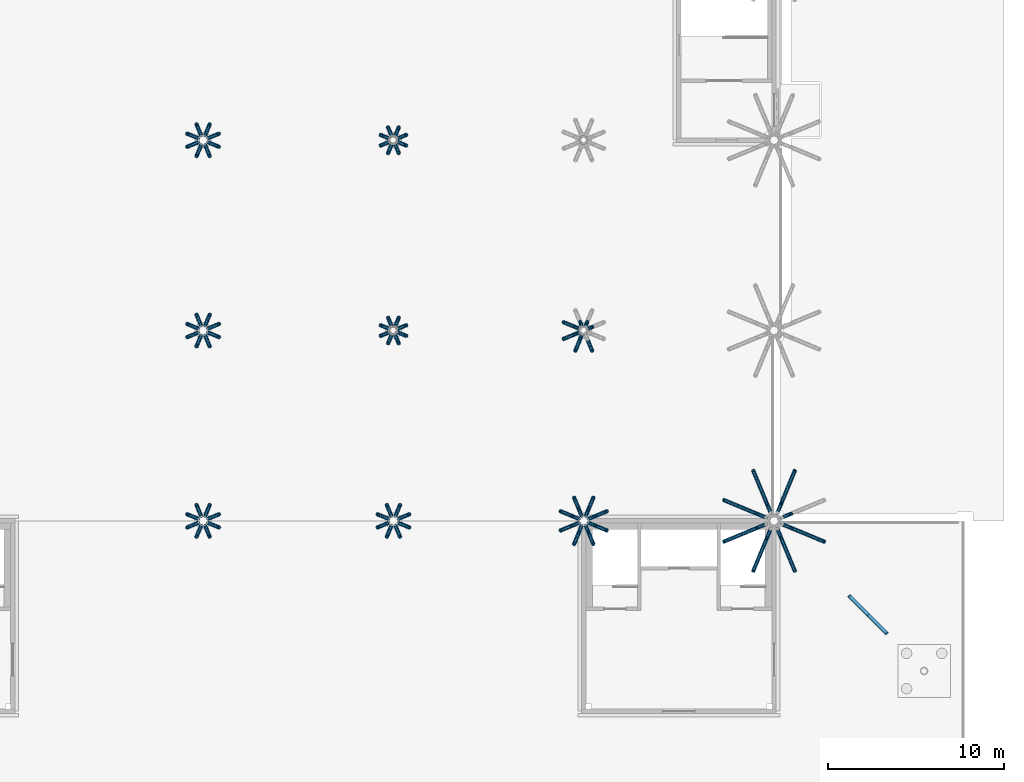
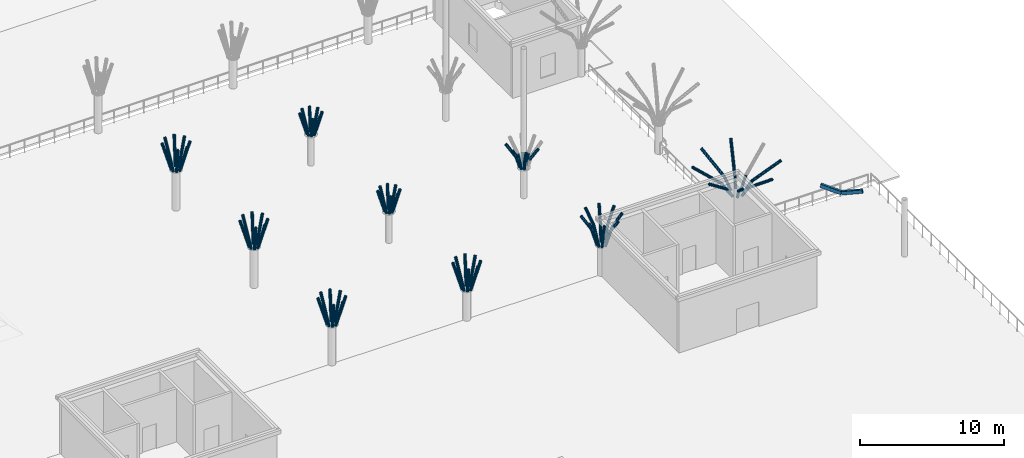
# One storey, part 25 of 91: 91 members.
"""IFC4 building model written with IfcOpenShell, lengths in metres."""

from ifc_helpers import new_model, si_unit, direction, frame, origin, origin_2d, place, context, subcontext, project, spatial, hollow_rectangle, hollow_circle, extrude, material, material_profile, profile_set, type_object, element, save


model = new_model("IFC4")

# Units and contexts
model_context = context("Model", 3, precision=1e-05, world=origin(), true_north=direction((0.0, 1.0)))
body_context = subcontext(model_context, "Body", "Model", "MODEL_VIEW")
ifc_project = project(units=[si_unit("LENGTHUNIT", "METRE"), si_unit("AREAUNIT", "SQUARE_METRE"), si_unit("VOLUMEUNIT", "CUBIC_METRE"), si_unit("PLANEANGLEUNIT", "RADIAN"), si_unit("MASSUNIT", "GRAM", prefix="KILO")], contexts=[model_context])

# Site, building, storey
site_placement = place(None, origin())
site = spatial("IfcSite", under=ifc_project, at=site_placement, CompositionType="ELEMENT")
building_placement = place(site_placement, origin())
building = spatial("IfcBuilding", under=site, at=building_placement, Name="Magnolia Steps Interchange", CompositionType="ELEMENT")
storey_placement = place(building_placement, origin())
storey = spatial("IfcBuildingStorey", under=building, at=storey_placement, Name="L00", CompositionType="ELEMENT", Elevation=0.0)

# Members
ifc_material_1 = material(Name="Steel Q355B", Category="steel")
ifc_material_profile_1 = material_profile(ifc_material_1, hollow_rectangle(XDim=0.199951171875, YDim=0.300048828125, WallThickness=0.011962890625, InnerFilletRadius=0.011962890625, OuterFilletRadius=0.02392578125, at=origin_2d()), Name="RHS300x200x12")
ifc_profile_set_1 = profile_set([ifc_material_profile_1], Name="Steel Q355B")
member_type_1 = type_object("IfcMemberType", Name="Roof truss RHS300x200x12", PredefinedType="USERDEFINED", material=ifc_profile_set_1)
member_1_placement = place(storey_placement, frame((187.06103515625, 38.138916015625, 4.85498046875), z_axis=(0.686826651927, -0.686669195106, -0.238232169731), x_axis=(0.697235952737, 0.7150361809, -0.050845709893)))
element("IfcMember", 1, at=member_1_placement, inside=storey, type_object=member_type_1, Name="Spike truss SP-C-SE bottom chord", ObjectType="Roof truss", PredefinedType="USERDEFINED", context=body_context, shape_type="SweptSolid", body=[
    extrude(hollow_rectangle(XDim=0.199951171875, YDim=0.300048828125, WallThickness=0.011962890625, InnerFilletRadius=0.011962890625, OuterFilletRadius=0.02392578125, at=origin_2d()), origin(), (0.0, 0.0, 1.0), 1.550537109375),
])
member_2_placement = place(storey_placement, frame((188.1259765625, 37.07421875, 4.485595703125), z_axis=(0.681069069944, -0.681069069944, 0.268867707117), x_axis=(0.716376789955, 0.695755499173, -0.052235813235)))
element("IfcMember", 2, at=member_2_placement, inside=storey, type_object=member_type_1, Name="Spike truss SP-C-SE bottom chord", ObjectType="Roof truss", PredefinedType="USERDEFINED", context=body_context, shape_type="SweptSolid", body=[
    extrude(hollow_rectangle(XDim=0.199951171875, YDim=0.300048828125, WallThickness=0.011962890625, InnerFilletRadius=0.011962890625, OuterFilletRadius=0.02392578125, at=origin_2d()), origin(), (0.0, 0.0, 1.0), 1.563720703125),
])
ifc_material_2 = material(Name="Steel Q355B", Category="steel")
ifc_material_profile_2 = material_profile(ifc_material_2, hollow_circle(Radius=0.109619140625, WallThickness=0.010009765625, at=origin_2d()), Name="CHS219x10")
ifc_profile_set_2 = profile_set([ifc_material_profile_2], Name="Steel Q355B")
member_type_2 = type_object("IfcMemberType", Name="Tree rib CHS219x10", PredefinedType="USERDEFINED", material=ifc_profile_set_2)
for number, where, z_axis, x_axis, name in (
    (3, (150.6953125, 42.522216796875, 3.351318359375), (0.254639446561, 0.105524400356, 0.96126133449), (-0.382836054536, 0.923816299568, 0.0), "Tree rib TC01A"),
    (4, (150.522216796875, 42.6953125, 3.351318359375), (0.105524400356, 0.254639446561, 0.96126133449), (-0.923816299568, 0.382836054536, 0.0), "Tree rib TC01A"),
    (5, (150.277587890625, 42.6953125, 3.351318359375), (-0.105422495038, 0.254642214309, 0.961271782709), (-0.923948487688, -0.382516917404, 0.0), "Tree rib TC01A"),
    (6, (150.104736328125, 42.522216796875, 3.351318359375), (-0.254639446561, 0.105524400356, 0.96126133449), (-0.382836054536, -0.923816299568, 0.0), "Tree rib TC01A"),
    (7, (150.104736328125, 42.277587890625, 3.351318359375), (-0.254642214309, -0.105422495038, 0.961271782709), (0.382516917404, -0.923948487688, 0.0), "Tree rib TC01A"),
    (8, (150.277587890625, 42.104736328125, 3.351318359375), (-0.105422495038, -0.254642214309, 0.961271782709), (0.923948487688, -0.382516917404, 0.0), "Tree rib TC01A"),
    (9, (150.522216796875, 42.104736328125, 3.351318359375), (0.105524400356, -0.254639446561, 0.96126133449), (0.923816299568, 0.382836054536, 0.0), "Tree rib TC01A"),
    (10, (150.6953125, 42.277587890625, 3.351318359375), (0.254642214309, -0.105422495038, 0.961271782709), (0.382516917404, 0.923948487688, 0.0), "Tree rib TC01A"),
    (11, (150.6953125, 53.322265625, 3.351318359375), (0.254639446561, 0.105524400356, 0.96126133449), (-0.382836054536, 0.923816299568, 0.0), "Tree rib TC01B"),
    (12, (150.522216796875, 53.4951171875, 3.351318359375), (0.105524400356, 0.254639446561, 0.96126133449), (-0.923816299568, 0.382836054536, 0.0), "Tree rib TC01B"),
    (13, (150.277587890625, 53.4951171875, 3.351318359375), (-0.105422495038, 0.254642214309, 0.961271782709), (-0.923948487688, -0.382516917404, 0.0), "Tree rib TC01B"),
    (14, (150.104736328125, 53.322265625, 3.351318359375), (-0.254639446561, 0.105524400356, 0.96126133449), (-0.382836054536, -0.923816299568, 0.0), "Tree rib TC01B"),
    (15, (150.104736328125, 53.07763671875, 3.351318359375), (-0.254642214309, -0.105422495038, 0.961271782709), (0.382516917404, -0.923948487688, 0.0), "Tree rib TC01B"),
    (16, (150.277587890625, 52.90478515625, 3.351318359375), (-0.105422495038, -0.254642214309, 0.961271782709), (0.923948487688, -0.382516917404, 0.0), "Tree rib TC01B"),
    (17, (150.522216796875, 52.90478515625, 3.351318359375), (0.105524400356, -0.254639446561, 0.96126133449), (0.923816299568, 0.382836054536, 0.0), "Tree rib TC01B"),
    (18, (150.6953125, 53.07763671875, 3.351318359375), (0.254642214309, -0.105422495038, 0.961271782709), (0.382516917404, 0.923948487688, 0.0), "Tree rib TC01B"),
    (19, (150.6953125, 64.122314453125, 3.351318359375), (0.254639446561, 0.105524400356, 0.96126133449), (-0.382836054536, 0.923816299568, 0.0), "Tree rib TC01C"),
    (20, (150.522216796875, 64.295166015625, 3.351318359375), (0.105524400356, 0.254639446561, 0.96126133449), (-0.923816299568, 0.382836054536, 0.0), "Tree rib TC01C"),
    (21, (150.277587890625, 64.295166015625, 3.351318359375), (-0.105422495038, 0.254642214309, 0.961271782709), (-0.923948487688, -0.382516917404, 0.0), "Tree rib TC01C"),
    (22, (150.104736328125, 64.122314453125, 3.351318359375), (-0.254639446561, 0.105524400356, 0.96126133449), (-0.382836054536, -0.923816299568, 0.0), "Tree rib TC01C"),
    (23, (150.104736328125, 63.877685546875, 3.351318359375), (-0.254639446561, -0.105524400356, 0.96126133449), (0.382836054536, -0.923816299568, 0.0), "Tree rib TC01C"),
    (24, (150.277587890625, 63.704833984375, 3.351318359375), (-0.105422495038, -0.254642214309, 0.961271782709), (0.923948487688, -0.382516917404, 0.0), "Tree rib TC01C"),
    (25, (150.522216796875, 63.704833984375, 3.351318359375), (0.105524400356, -0.254639446561, 0.96126133449), (0.923816299568, 0.382836054536, 0.0), "Tree rib TC01C"),
    (26, (150.6953125, 63.877685546875, 3.351318359375), (0.254639446561, -0.105524400356, 0.96126133449), (0.382836054536, 0.923816299568, 0.0), "Tree rib TC01C"),
):
    element("IfcMember", number, at=place(storey_placement, frame(where, z_axis=z_axis, x_axis=x_axis)), inside=storey, type_object=member_type_2, Name=name, ObjectType="TREE RIB", PredefinedType="USERDEFINED", context=body_context, shape_type="SweptSolid", body=[
        extrude(hollow_circle(Radius=0.109619140625, WallThickness=0.010009765625, at=origin_2d()), origin(), (0.0, 0.0, 1.0), 2.369140625),
    ])
for number, where, z_axis, x_axis, name in (
    (27, (161.4951171875, 42.522216796875, 2.563720703125), (0.254614224601, 0.105513948196, 0.961269162809), (-0.382836054536, 0.923816299568, 0.0), "Tree rib TC02A"),
    (28, (161.322265625, 42.6953125, 2.563720703125), (0.105513948196, 0.254614224601, 0.961269162809), (-0.923816299568, 0.382836054536, 0.0), "Tree rib TC02A"),
    (29, (161.07763671875, 42.6953125, 2.563720703125), (-0.105412052744, 0.254616991526, 0.961279609043), (-0.923948487688, -0.382516917404, 0.0), "Tree rib TC02A"),
    (30, (160.90478515625, 42.522216796875, 2.563720703125), (-0.254614224601, 0.105513948196, 0.961269162809), (-0.382836054536, -0.923816299568, 0.0), "Tree rib TC02A"),
    (31, (160.90478515625, 42.277587890625, 2.563720703125), (-0.254616991526, -0.105412052744, 0.961279609043), (0.382516917404, -0.923948487688, 0.0), "Tree rib TC02A"),
    (32, (161.07763671875, 42.104736328125, 2.563720703125), (-0.105412052744, -0.254616991526, 0.961279609043), (0.923948487688, -0.382516917404, 0.0), "Tree rib TC02A"),
    (33, (161.322265625, 42.104736328125, 2.563720703125), (0.105513948196, -0.254614224601, 0.961269162809), (0.923816299568, 0.382836054536, 0.0), "Tree rib TC02A"),
    (34, (161.4951171875, 42.277587890625, 2.563720703125), (0.254616991526, -0.105412052744, 0.961279609043), (0.382516917404, 0.923948487688, 0.0), "Tree rib TC02A"),
):
    element("IfcMember", number, at=place(storey_placement, frame(where, z_axis=z_axis, x_axis=x_axis)), inside=storey, type_object=member_type_2, Name=name, ObjectType="TREE RIB", PredefinedType="USERDEFINED", context=body_context, shape_type="SweptSolid", body=[
        extrude(hollow_circle(Radius=0.109619140625, WallThickness=0.010009765625, at=origin_2d()), origin(), (0.0, 0.0, 1.0), 2.369384765625),
    ])
for number, where, z_axis, x_axis, name in (
    (35, (161.447998046875, 53.302734375, 2.563720703125), (0.254667596632, 0.105415685491, 0.96126580532), (-0.38246327846, 0.923970692517, 0.0), "Tree rib TC02B"),
    (36, (161.302734375, 53.447998046875, 2.563720703125), (0.105415685491, 0.254667596632, 0.96126580532), (-0.923970692517, 0.38246327846, 0.0), "Tree rib TC02B"),
    (37, (161.09716796875, 53.447998046875, 2.563720703125), (-0.105415685491, 0.254667596632, 0.96126580532), (-0.923970692517, -0.38246327846, 0.0), "Tree rib TC02B"),
    (38, (160.951904296875, 53.302734375, 2.563720703125), (-0.254667596632, 0.105415685491, 0.96126580532), (-0.38246327846, -0.923970692517, 0.0), "Tree rib TC02B"),
    (39, (160.951904296875, 53.09716796875, 2.563720703125), (-0.254667596632, -0.105415685491, 0.96126580532), (0.38246327846, -0.923970692517, 0.0), "Tree rib TC02B"),
    (40, (161.09716796875, 52.951904296875, 2.563720703125), (-0.105415685491, -0.254667596632, 0.96126580532), (0.923970692517, -0.38246327846, 0.0), "Tree rib TC02B"),
    (41, (161.302734375, 52.951904296875, 2.563720703125), (0.105415685491, -0.254667596632, 0.96126580532), (0.923970692517, 0.38246327846, 0.0), "Tree rib TC02B"),
    (42, (161.447998046875, 53.09716796875, 2.563720703125), (0.254667596632, -0.105415685491, 0.96126580532), (0.38246327846, 0.923970692517, 0.0), "Tree rib TC02B"),
    (43, (161.447998046875, 64.102783203125, 2.563720703125), (0.254667596632, 0.105415685491, 0.96126580532), (-0.38246327846, 0.923970692517, 0.0), "Tree rib TC02C"),
    (44, (161.302734375, 64.248046875, 2.563720703125), (0.105415685491, 0.254667596632, 0.96126580532), (-0.923970692517, 0.38246327846, 0.0), "Tree rib TC02C"),
    (45, (161.09716796875, 64.248046875, 2.563720703125), (-0.105415685491, 0.254667596632, 0.96126580532), (-0.923970692517, -0.38246327846, 0.0), "Tree rib TC02C"),
    (46, (160.951904296875, 64.102783203125, 2.563720703125), (-0.254667596632, 0.105415685491, 0.96126580532), (-0.38246327846, -0.923970692517, 0.0), "Tree rib TC02C"),
    (47, (160.951904296875, 63.897216796875, 2.563720703125), (-0.254667596632, -0.105415685491, 0.96126580532), (0.38246327846, -0.923970692517, 0.0), "Tree rib TC02C"),
    (48, (161.09716796875, 63.751953125, 2.563720703125), (-0.105415685491, -0.254667596632, 0.96126580532), (0.923970692517, -0.38246327846, 0.0), "Tree rib TC02C"),
    (49, (161.302734375, 63.751953125, 2.563720703125), (0.105415685491, -0.254667596632, 0.96126580532), (0.923970692517, 0.38246327846, 0.0), "Tree rib TC02C"),
    (50, (161.447998046875, 63.897216796875, 2.563720703125), (0.254667596632, -0.105415685491, 0.96126580532), (0.38246327846, 0.923970692517, 0.0), "Tree rib TC02C"),
):
    element("IfcMember", number, at=place(storey_placement, frame(where, z_axis=z_axis, x_axis=x_axis)), inside=storey, type_object=member_type_2, Name=name, ObjectType="TREE RIB", PredefinedType="USERDEFINED", context=body_context, shape_type="SweptSolid", body=[
        extrude(hollow_circle(Radius=0.109619140625, WallThickness=0.010009765625, at=origin_2d()), origin(), (0.0, 0.0, 1.0), 1.871337890625),
    ])
member_3_placement = place(storey_placement, frame((172.295166015625, 42.522216796875, 2.52001953125), z_axis=(0.254650125401, 0.105419675569, 0.961269996222), x_axis=(-0.382498039412, 0.923956302996, 0.0)))
element("IfcMember", 51, at=member_3_placement, inside=storey, type_object=member_type_2, Name="Tree rib TC03A", ObjectType="TREE RIB", PredefinedType="USERDEFINED", context=body_context, shape_type="SweptSolid", body=[
    extrude(hollow_circle(Radius=0.109619140625, WallThickness=0.010009765625, at=origin_2d()), origin(), (0.0, 0.0, 1.0), 1.426513671875),
])
member_4_placement = place(storey_placement, frame((172.658447265625, 42.672607421875, 3.891357421875), z_axis=(0.489723325229, 0.202941921697, 0.847930210067), x_axis=(-0.382831365783, 0.923818242607, 0.0)))
element("IfcMember", 52, at=member_4_placement, inside=storey, type_object=member_type_2, Name="Tree rib TC03A", ObjectType="TREE RIB", PredefinedType="USERDEFINED", context=body_context, shape_type="SweptSolid", body=[
    extrude(hollow_circle(Radius=0.109619140625, WallThickness=0.010009765625, at=origin_2d()), origin(), (0.0, 0.0, 1.0), 1.35693359375),
])
member_5_placement = place(storey_placement, frame((172.122314453125, 42.6953125, 2.52001953125), z_axis=(0.105419675569, 0.254650125401, 0.961269996222), x_axis=(-0.923956302996, 0.382498039412, 0.0)))
element("IfcMember", 53, at=member_5_placement, inside=storey, type_object=member_type_2, Name="Tree rib TC03A", ObjectType="TREE RIB", PredefinedType="USERDEFINED", context=body_context, shape_type="SweptSolid", body=[
    extrude(hollow_circle(Radius=0.109619140625, WallThickness=0.010009765625, at=origin_2d()), origin(), (0.0, 0.0, 1.0), 1.426513671875),
])
member_6_placement = place(storey_placement, frame((172.272705078125, 43.05859375, 3.891357421875), z_axis=(0.202787274908, 0.489604414396, 0.848035871021), x_axis=(-0.923888548062, 0.382661666176, 0.0)))
element("IfcMember", 54, at=member_6_placement, inside=storey, type_object=member_type_2, Name="Tree rib TC03A", ObjectType="TREE RIB", PredefinedType="USERDEFINED", context=body_context, shape_type="SweptSolid", body=[
    extrude(hollow_circle(Radius=0.109619140625, WallThickness=0.010009765625, at=origin_2d()), origin(), (0.0, 0.0, 1.0), 1.35693359375),
])
member_7_placement = place(storey_placement, frame((171.877685546875, 42.6953125, 2.52001953125), z_axis=(-0.105419675569, 0.254650125401, 0.961269996222), x_axis=(-0.923956302996, -0.382498039412, 0.0)))
element("IfcMember", 55, at=member_7_placement, inside=storey, type_object=member_type_2, Name="Tree rib TC03A", ObjectType="TREE RIB", PredefinedType="USERDEFINED", context=body_context, shape_type="SweptSolid", body=[
    extrude(hollow_circle(Radius=0.109619140625, WallThickness=0.010009765625, at=origin_2d()), origin(), (0.0, 0.0, 1.0), 1.426513671875),
])
member_8_placement = place(storey_placement, frame((171.727294921875, 43.05859375, 3.891357421875), z_axis=(-0.202787274908, 0.489604414396, 0.848035871021), x_axis=(-0.923888548062, -0.382661666176, 0.0)))
element("IfcMember", 56, at=member_8_placement, inside=storey, type_object=member_type_2, Name="Tree rib TC03A", ObjectType="TREE RIB", PredefinedType="USERDEFINED", context=body_context, shape_type="SweptSolid", body=[
    extrude(hollow_circle(Radius=0.109619140625, WallThickness=0.010009765625, at=origin_2d()), origin(), (0.0, 0.0, 1.0), 1.35693359375),
])
member_9_placement = place(storey_placement, frame((171.704833984375, 42.522216796875, 2.52001953125), z_axis=(-0.254650125401, 0.105419675569, 0.961269996222), x_axis=(-0.382498039412, -0.923956302996, 0.0)))
element("IfcMember", 57, at=member_9_placement, inside=storey, type_object=member_type_2, Name="Tree rib TC03A", ObjectType="TREE RIB", PredefinedType="USERDEFINED", context=body_context, shape_type="SweptSolid", body=[
    extrude(hollow_circle(Radius=0.109619140625, WallThickness=0.010009765625, at=origin_2d()), origin(), (0.0, 0.0, 1.0), 1.426513671875),
])
member_10_placement = place(storey_placement, frame((171.341552734375, 42.672607421875, 3.891357421875), z_axis=(-0.489723325229, 0.202941921697, 0.847930210067), x_axis=(-0.382831365783, -0.923818242607, 0.0)))
element("IfcMember", 58, at=member_10_placement, inside=storey, type_object=member_type_2, Name="Tree rib TC03A", ObjectType="TREE RIB", PredefinedType="USERDEFINED", context=body_context, shape_type="SweptSolid", body=[
    extrude(hollow_circle(Radius=0.109619140625, WallThickness=0.010009765625, at=origin_2d()), origin(), (0.0, 0.0, 1.0), 1.35693359375),
])
member_11_placement = place(storey_placement, frame((171.704833984375, 42.277587890625, 2.52001953125), z_axis=(-0.254650125401, -0.105419675569, 0.961269996222), x_axis=(0.382498039412, -0.923956302996, 0.0)))
element("IfcMember", 59, at=member_11_placement, inside=storey, type_object=member_type_2, Name="Tree rib TC03A", ObjectType="TREE RIB", PredefinedType="USERDEFINED", context=body_context, shape_type="SweptSolid", body=[
    extrude(hollow_circle(Radius=0.109619140625, WallThickness=0.010009765625, at=origin_2d()), origin(), (0.0, 0.0, 1.0), 1.426513671875),
])
member_12_placement = place(storey_placement, frame((171.341552734375, 42.127197265625, 3.891357421875), z_axis=(-0.489741199011, -0.202769408995, 0.847961157582), x_axis=(0.382541660705, -0.923938243513, 0.0)))
element("IfcMember", 60, at=member_12_placement, inside=storey, type_object=member_type_2, Name="Tree rib TC03A", ObjectType="TREE RIB", PredefinedType="USERDEFINED", context=body_context, shape_type="SweptSolid", body=[
    extrude(hollow_circle(Radius=0.109619140625, WallThickness=0.010009765625, at=origin_2d()), origin(), (0.0, 0.0, 1.0), 1.35693359375),
])
member_13_placement = place(storey_placement, frame((171.877685546875, 42.104736328125, 2.52001953125), z_axis=(-0.105419675569, -0.254650125401, 0.961269996222), x_axis=(0.923956302996, -0.382498039412, 0.0)))
element("IfcMember", 61, at=member_13_placement, inside=storey, type_object=member_type_2, Name="Tree rib TC03A", ObjectType="TREE RIB", PredefinedType="USERDEFINED", context=body_context, shape_type="SweptSolid", body=[
    extrude(hollow_circle(Radius=0.109619140625, WallThickness=0.010009765625, at=origin_2d()), origin(), (0.0, 0.0, 1.0), 1.426513671875),
])
member_14_placement = place(storey_placement, frame((171.727294921875, 41.741455078125, 3.891357421875), z_axis=(-0.202787274908, -0.489604414396, 0.848035871021), x_axis=(0.923888548062, -0.382661666176, 0.0)))
element("IfcMember", 62, at=member_14_placement, inside=storey, type_object=member_type_2, Name="Tree rib TC03A", ObjectType="TREE RIB", PredefinedType="USERDEFINED", context=body_context, shape_type="SweptSolid", body=[
    extrude(hollow_circle(Radius=0.109619140625, WallThickness=0.010009765625, at=origin_2d()), origin(), (0.0, 0.0, 1.0), 1.35693359375),
])
member_15_placement = place(storey_placement, frame((172.122314453125, 42.104736328125, 2.52001953125), z_axis=(0.105419675569, -0.254650125401, 0.961269996222), x_axis=(0.923956302996, 0.382498039412, 0.0)))
element("IfcMember", 63, at=member_15_placement, inside=storey, type_object=member_type_2, Name="Tree rib TC03A", ObjectType="TREE RIB", PredefinedType="USERDEFINED", context=body_context, shape_type="SweptSolid", body=[
    extrude(hollow_circle(Radius=0.109619140625, WallThickness=0.010009765625, at=origin_2d()), origin(), (0.0, 0.0, 1.0), 1.426513671875),
])
member_16_placement = place(storey_placement, frame((172.272705078125, 41.741455078125, 3.891357421875), z_axis=(0.202787274908, -0.489604414396, 0.848035871021), x_axis=(0.923888548062, 0.382661666176, 0.0)))
element("IfcMember", 64, at=member_16_placement, inside=storey, type_object=member_type_2, Name="Tree rib TC03A", ObjectType="TREE RIB", PredefinedType="USERDEFINED", context=body_context, shape_type="SweptSolid", body=[
    extrude(hollow_circle(Radius=0.109619140625, WallThickness=0.010009765625, at=origin_2d()), origin(), (0.0, 0.0, 1.0), 1.35693359375),
])
member_17_placement = place(storey_placement, frame((172.295166015625, 42.277587890625, 2.52001953125), z_axis=(0.254650125401, -0.105419675569, 0.961269996222), x_axis=(0.382498039412, 0.923956302996, 0.0)))
element("IfcMember", 65, at=member_17_placement, inside=storey, type_object=member_type_2, Name="Tree rib TC03A", ObjectType="TREE RIB", PredefinedType="USERDEFINED", context=body_context, shape_type="SweptSolid", body=[
    extrude(hollow_circle(Radius=0.109619140625, WallThickness=0.010009765625, at=origin_2d()), origin(), (0.0, 0.0, 1.0), 1.426513671875),
])
member_18_placement = place(storey_placement, frame((172.658447265625, 42.127197265625, 3.891357421875), z_axis=(0.489741199011, -0.202769408995, 0.847961157582), x_axis=(0.382541660705, 0.923938243513, 0.0)))
element("IfcMember", 66, at=member_18_placement, inside=storey, type_object=member_type_2, Name="Tree rib TC03A", ObjectType="TREE RIB", PredefinedType="USERDEFINED", context=body_context, shape_type="SweptSolid", body=[
    extrude(hollow_circle(Radius=0.109619140625, WallThickness=0.010009765625, at=origin_2d()), origin(), (0.0, 0.0, 1.0), 1.35693359375),
])
for number, where, z_axis, x_axis, name in (
    (67, (172.248046875, 53.302734375, 2.52001953125), (0.254769875946, 0.105431083854, 0.961237013888), (-0.382379867075, 0.924005214951, 0.0), "Tree rib TC03B"),
    (68, (172.102783203125, 53.447998046875, 2.52001953125), (0.105431083854, 0.254769875946, 0.961237013888), (-0.924005214951, 0.382379867075, 0.0), "Tree rib TC03B"),
    (69, (171.897216796875, 53.447998046875, 2.52001953125), (-0.105431083854, 0.254769875946, 0.961237013888), (-0.924005214951, -0.382379867075, 0.0), "Tree rib TC03B"),
    (70, (171.751953125, 53.302734375, 2.52001953125), (-0.254769875946, 0.105431083854, 0.961237013888), (-0.382379867075, -0.924005214951, 0.0), "Tree rib TC03B"),
):
    element("IfcMember", number, at=place(storey_placement, frame(where, z_axis=z_axis, x_axis=x_axis)), inside=storey, type_object=member_type_2, Name=name, ObjectType="TREE RIB", PredefinedType="USERDEFINED", context=body_context, shape_type="SweptSolid", body=[
        extrude(hollow_circle(Radius=0.109619140625, WallThickness=0.010009765625, at=origin_2d()), origin(), (0.0, 0.0, 1.0), 0.928466796875),
    ])
member_19_placement = place(storey_placement, frame((171.515380859375, 53.400634765625, 3.41259765625), z_axis=(-0.489529713984, 0.202756335046, 0.848086391664), x_axis=(-0.382661666176, -0.923888548062, 0.0)))
element("IfcMember", 71, at=member_19_placement, inside=storey, type_object=member_type_2, Name="Tree rib TC03B", ObjectType="TREE RIB", PredefinedType="USERDEFINED", context=body_context, shape_type="SweptSolid", body=[
    extrude(hollow_circle(Radius=0.109619140625, WallThickness=0.010009765625, at=origin_2d()), origin(), (0.0, 0.0, 1.0), 1.35693359375),
])
member_20_placement = place(storey_placement, frame((171.751953125, 53.09716796875, 2.52001953125), z_axis=(-0.254769875946, -0.105431083854, 0.961237013888), x_axis=(0.382379867075, -0.924005214951, 0.0)))
element("IfcMember", 72, at=member_20_placement, inside=storey, type_object=member_type_2, Name="Tree rib TC03B", ObjectType="TREE RIB", PredefinedType="USERDEFINED", context=body_context, shape_type="SweptSolid", body=[
    extrude(hollow_circle(Radius=0.109619140625, WallThickness=0.010009765625, at=origin_2d()), origin(), (0.0, 0.0, 1.0), 0.928466796875),
])
member_21_placement = place(storey_placement, frame((171.515380859375, 52.999267578125, 3.41259765625), z_axis=(-0.489529713984, -0.202756335046, 0.848086391664), x_axis=(0.382661666176, -0.923888548062, 0.0)))
element("IfcMember", 73, at=member_21_placement, inside=storey, type_object=member_type_2, Name="Tree rib TC03B", ObjectType="TREE RIB", PredefinedType="USERDEFINED", context=body_context, shape_type="SweptSolid", body=[
    extrude(hollow_circle(Radius=0.109619140625, WallThickness=0.010009765625, at=origin_2d()), origin(), (0.0, 0.0, 1.0), 1.35693359375),
])
member_22_placement = place(storey_placement, frame((171.897216796875, 52.951904296875, 2.52001953125), z_axis=(-0.105438143135, -0.254523996397, 0.96130137482), x_axis=(0.923865605463, -0.382717053503, 0.0)))
element("IfcMember", 74, at=member_22_placement, inside=storey, type_object=member_type_2, Name="Tree rib TC03B", ObjectType="TREE RIB", PredefinedType="USERDEFINED", context=body_context, shape_type="SweptSolid", body=[
    extrude(hollow_circle(Radius=0.109619140625, WallThickness=0.010009765625, at=origin_2d()), origin(), (0.0, 0.0, 1.0), 0.928466796875),
])
for number, where, z_axis, x_axis, name in (
    (75, (171.79931640625, 52.715576171875, 3.41259765625), (-0.202738477309, -0.489666490891, 0.848011696569), (0.923938243513, -0.382541660705, 0.0), "Tree rib TC03B"),
    (76, (172.20068359375, 52.715576171875, 3.41259765625), (0.202738477309, -0.489666490891, 0.848011696569), (0.923938243513, 0.382541660705, 0.0), "Tree rib TC03B"),
):
    element("IfcMember", number, at=place(storey_placement, frame(where, z_axis=z_axis, x_axis=x_axis)), inside=storey, type_object=member_type_2, Name=name, ObjectType="TREE RIB", PredefinedType="USERDEFINED", context=body_context, shape_type="SweptSolid", body=[
        extrude(hollow_circle(Radius=0.109619140625, WallThickness=0.010009765625, at=origin_2d()), origin(), (0.0, 0.0, 1.0), 1.357177734375),
    ])
for number, where, z_axis, x_axis, name in (
    (77, (183.248046875, 42.585693359375, 3.0966796875), (0.489404905868, 0.20259823809, 0.848196199022), (-0.382490193419, 0.923959551029, 0.0), "Tree rib TC04A"),
    (78, (182.985595703125, 42.847900390625, 3.0966796875), (0.202792830148, 0.489554566528, 0.848063319825), (-0.923871065891, 0.382703871955, 0.0), "Tree rib TC04A"),
):
    element("IfcMember", number, at=place(storey_placement, frame(where, z_axis=z_axis, x_axis=x_axis)), inside=storey, type_object=member_type_2, Name=name, ObjectType="TREE RIB", PredefinedType="USERDEFINED", context=body_context, shape_type="SweptSolid", body=[
        extrude(hollow_circle(Radius=0.109619140625, WallThickness=0.010009765625, at=origin_2d()), origin(), (0.0, 0.0, 1.0), 1.07861328125),
    ])
member_23_placement = place(storey_placement, frame((183.204345703125, 43.3759765625, 4.011474609375), z_axis=(0.304375584612, 0.734853698347, 0.606090377351), x_axis=(-0.92388432575, 0.382671860258, 0.0)))
element("IfcMember", 79, at=member_23_placement, inside=storey, type_object=member_type_2, Name="Tree rib TC04A", ObjectType="TREE RIB", PredefinedType="USERDEFINED", context=body_context, shape_type="SweptSolid", body=[
    extrude(hollow_circle(Radius=0.109619140625, WallThickness=0.010009765625, at=origin_2d()), origin(), (0.0, 0.0, 1.0), 2.569091796875),
])
member_24_placement = place(storey_placement, frame((182.614501953125, 42.847900390625, 3.0966796875), z_axis=(-0.202792830148, 0.489554566528, 0.848063319825), x_axis=(-0.923871065891, -0.382703871955, 0.0)))
element("IfcMember", 80, at=member_24_placement, inside=storey, type_object=member_type_2, Name="Tree rib TC04A", ObjectType="TREE RIB", PredefinedType="USERDEFINED", context=body_context, shape_type="SweptSolid", body=[
    extrude(hollow_circle(Radius=0.109619140625, WallThickness=0.010009765625, at=origin_2d()), origin(), (0.0, 0.0, 1.0), 1.07861328125),
])
member_25_placement = place(storey_placement, frame((182.395751953125, 43.3759765625, 4.011474609375), z_axis=(-0.304375584612, 0.734853698347, 0.606090377351), x_axis=(-0.92388432575, -0.382671860258, 0.0)))
element("IfcMember", 81, at=member_25_placement, inside=storey, type_object=member_type_2, Name="Tree rib TC04A", ObjectType="TREE RIB", PredefinedType="USERDEFINED", context=body_context, shape_type="SweptSolid", body=[
    extrude(hollow_circle(Radius=0.109619140625, WallThickness=0.010009765625, at=origin_2d()), origin(), (0.0, 0.0, 1.0), 2.569091796875),
])
member_26_placement = place(storey_placement, frame((182.35205078125, 42.585693359375, 3.0966796875), z_axis=(-0.489577025287, 0.202575791785, 0.848102225497), x_axis=(-0.382339215386, -0.924022036738, 0.0)))
element("IfcMember", 82, at=member_26_placement, inside=storey, type_object=member_type_2, Name="Tree rib TC04A", ObjectType="TREE RIB", PredefinedType="USERDEFINED", context=body_context, shape_type="SweptSolid", body=[
    extrude(hollow_circle(Radius=0.109619140625, WallThickness=0.010009765625, at=origin_2d()), origin(), (0.0, 0.0, 1.0), 1.07861328125),
])
member_27_placement = place(storey_placement, frame((181.823974609375, 42.80419921875, 4.011474609375), z_axis=(-0.734853698347, 0.304375584612, 0.606090377351), x_axis=(-0.382671860258, -0.92388432575, 0.0)))
element("IfcMember", 83, at=member_27_placement, inside=storey, type_object=member_type_2, Name="Tree rib TC04A", ObjectType="TREE RIB", PredefinedType="USERDEFINED", context=body_context, shape_type="SweptSolid", body=[
    extrude(hollow_circle(Radius=0.109619140625, WallThickness=0.010009765625, at=origin_2d()), origin(), (0.0, 0.0, 1.0), 2.569091796875),
])
member_28_placement = place(storey_placement, frame((182.35205078125, 42.21435546875, 3.0966796875), z_axis=(-0.489554566528, -0.202792830148, 0.848063319825), x_axis=(0.382703871955, -0.923871065891, 0.0)))
element("IfcMember", 84, at=member_28_placement, inside=storey, type_object=member_type_2, Name="Tree rib TC04A", ObjectType="TREE RIB", PredefinedType="USERDEFINED", context=body_context, shape_type="SweptSolid", body=[
    extrude(hollow_circle(Radius=0.109619140625, WallThickness=0.010009765625, at=origin_2d()), origin(), (0.0, 0.0, 1.0), 1.07861328125),
])
member_29_placement = place(storey_placement, frame((181.823974609375, 41.99560546875, 4.011474609375), z_axis=(-0.734853698347, -0.304375584612, 0.606090377351), x_axis=(0.382671860258, -0.92388432575, 0.0)))
element("IfcMember", 85, at=member_29_placement, inside=storey, type_object=member_type_2, Name="Tree rib TC04A", ObjectType="TREE RIB", PredefinedType="USERDEFINED", context=body_context, shape_type="SweptSolid", body=[
    extrude(hollow_circle(Radius=0.109619140625, WallThickness=0.010009765625, at=origin_2d()), origin(), (0.0, 0.0, 1.0), 2.569091796875),
])
member_30_placement = place(storey_placement, frame((182.614501953125, 41.951904296875, 3.0966796875), z_axis=(-0.202815298439, -0.489382450029, 0.848157280416), x_axis=(0.923808471175, -0.382854944576, 0.0)))
element("IfcMember", 86, at=member_30_placement, inside=storey, type_object=member_type_2, Name="Tree rib TC04A", ObjectType="TREE RIB", PredefinedType="USERDEFINED", context=body_context, shape_type="SweptSolid", body=[
    extrude(hollow_circle(Radius=0.109619140625, WallThickness=0.010009765625, at=origin_2d()), origin(), (0.0, 0.0, 1.0), 1.07861328125),
])
member_31_placement = place(storey_placement, frame((182.395751953125, 41.424072265625, 4.011474609375), z_axis=(-0.304354330344, -0.734897405832, 0.606048054615), x_axis=(0.923901818204, -0.382629625512, 0.0)))
element("IfcMember", 87, at=member_31_placement, inside=storey, type_object=member_type_2, Name="Tree rib TC04A", ObjectType="TREE RIB", PredefinedType="USERDEFINED", context=body_context, shape_type="SweptSolid", body=[
    extrude(hollow_circle(Radius=0.109619140625, WallThickness=0.010009765625, at=origin_2d()), origin(), (0.0, 0.0, 1.0), 2.5693359375),
])
member_32_placement = place(storey_placement, frame((182.985595703125, 41.951904296875, 3.0966796875), z_axis=(0.202815298439, -0.489382450029, 0.848157280416), x_axis=(0.923808471175, 0.382854944576, 0.0)))
element("IfcMember", 88, at=member_32_placement, inside=storey, type_object=member_type_2, Name="Tree rib TC04A", ObjectType="TREE RIB", PredefinedType="USERDEFINED", context=body_context, shape_type="SweptSolid", body=[
    extrude(hollow_circle(Radius=0.109619140625, WallThickness=0.010009765625, at=origin_2d()), origin(), (0.0, 0.0, 1.0), 1.07861328125),
])
member_33_placement = place(storey_placement, frame((183.204345703125, 41.424072265625, 4.011474609375), z_axis=(0.304354330344, -0.734897405832, 0.606048054615), x_axis=(0.923901818204, 0.382629625512, 0.0)))
element("IfcMember", 89, at=member_33_placement, inside=storey, type_object=member_type_2, Name="Tree rib TC04A", ObjectType="TREE RIB", PredefinedType="USERDEFINED", context=body_context, shape_type="SweptSolid", body=[
    extrude(hollow_circle(Radius=0.109619140625, WallThickness=0.010009765625, at=origin_2d()), origin(), (0.0, 0.0, 1.0), 2.5693359375),
])
member_34_placement = place(storey_placement, frame((183.248046875, 42.21435546875, 3.0966796875), z_axis=(0.489382450029, -0.202815298439, 0.848157280416), x_axis=(0.382854944576, 0.923808471175, 0.0)))
element("IfcMember", 90, at=member_34_placement, inside=storey, type_object=member_type_2, Name="Tree rib TC04A", ObjectType="TREE RIB", PredefinedType="USERDEFINED", context=body_context, shape_type="SweptSolid", body=[
    extrude(hollow_circle(Radius=0.109619140625, WallThickness=0.010009765625, at=origin_2d()), origin(), (0.0, 0.0, 1.0), 1.07861328125),
])
member_35_placement = place(storey_placement, frame((183.77587890625, 41.99560546875, 4.011474609375), z_axis=(0.734897405832, -0.304354330344, 0.606048054615), x_axis=(0.382629625512, 0.923901818204, 0.0)))
element("IfcMember", 91, at=member_35_placement, inside=storey, type_object=member_type_2, Name="Tree rib TC04A", ObjectType="TREE RIB", PredefinedType="USERDEFINED", context=body_context, shape_type="SweptSolid", body=[
    extrude(hollow_circle(Radius=0.109619140625, WallThickness=0.010009765625, at=origin_2d()), origin(), (0.0, 0.0, 1.0), 2.5693359375),
])

save(model, "model.ifc")
